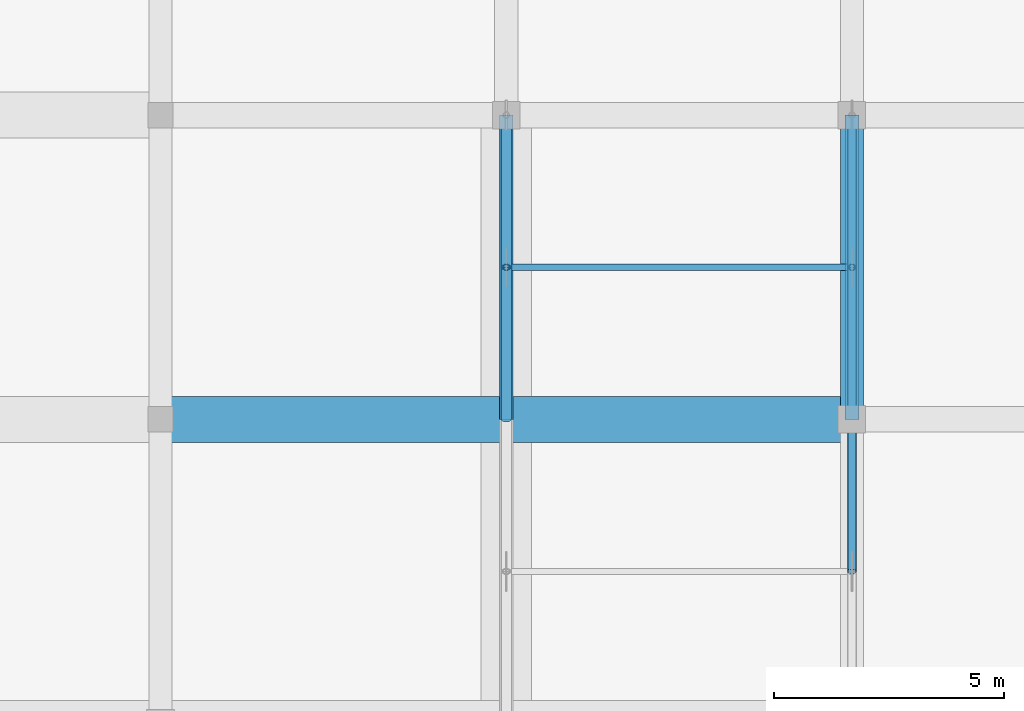
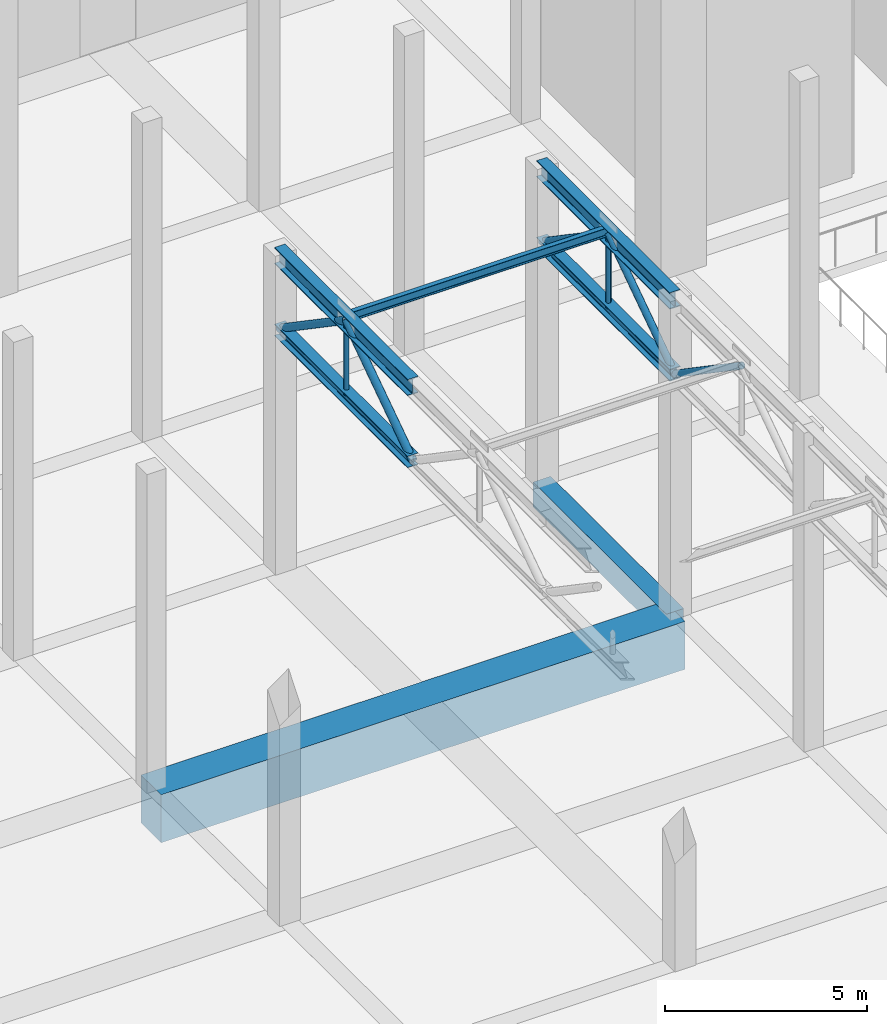
# One storey, part 22 of 80: 12 members, 2 beams.
"""IFC4 building model written with IfcOpenShell, lengths in metres."""

from ifc_helpers import new_model, si_unit, direction, frame, origin, origin_2d, place, context, subcontext, project, spatial, rectangle, hollow_circle, i_section, extrude, material, material_profile, profile_set, type_object, element, save


model = new_model("IFC4")

# Units and contexts
model_context = context("Model", 3, precision=1e-05, world=origin(), true_north=direction((0.0, 1.0)))
body_context = subcontext(model_context, "Body", "Model", "MODEL_VIEW")
ifc_project = project(units=[si_unit("LENGTHUNIT", "METRE"), si_unit("AREAUNIT", "SQUARE_METRE"), si_unit("VOLUMEUNIT", "CUBIC_METRE"), si_unit("PLANEANGLEUNIT", "RADIAN"), si_unit("MASSUNIT", "GRAM", prefix="KILO")], contexts=[model_context])

# Site, building, storey
site_placement = place(None, origin())
site = spatial("IfcSite", under=ifc_project, at=site_placement, CompositionType="ELEMENT")
building_placement = place(site_placement, origin())
building = spatial("IfcBuilding", under=site, at=building_placement, Name="Akrevak Sports Hall", CompositionType="ELEMENT")
storey_placement = place(building_placement, frame((0.0, 0.0, 14.0)))
storey = spatial("IfcBuildingStorey", under=building, at=storey_placement, Name="L03", CompositionType="ELEMENT", Elevation=14.0)

# Beams
ifc_material_1 = material(Name="Concrete C50/60", Category="concrete")
ifc_material_profile_1 = material_profile(ifc_material_1, rectangle(XDim=1.0, YDim=1.449951171875, at=origin_2d()), Name="BM 1000x1450", Category="concrete")
ifc_profile_set_1 = profile_set([ifc_material_profile_1], Name="Concrete C50/60")
beam_type_1 = type_object("IfcBeamType", Name="STR-BM-LG1000x1450", PredefinedType="BEAM", material=ifc_profile_set_1)
beam_1_placement = place(storey_placement, frame((15.0, 42.0, -0.72509765625), z_axis=(1.0, 0.0, 0.0), x_axis=(0.0, 1.0, 0.0)))
element("IfcBeam", 1, at=beam_1_placement, inside=storey, type_object=beam_type_1, Name="Girder G/3-5 (L03)", PredefinedType="BEAM", context=body_context, shape_type="SweptSolid", body=[
    extrude(rectangle(XDim=1.0, YDim=1.449951171875, at=origin_2d()), origin(), (0.0, 0.0, 1.0), 15.0),
])
ifc_material_2 = material(Name="Concrete C40/50", Category="concrete")
ifc_material_profile_2 = material_profile(ifc_material_2, rectangle(XDim=0.5, YDim=0.75, at=origin_2d()), Name="BM 500x750", Category="concrete")
ifc_profile_set_2 = profile_set([ifc_material_profile_2], Name="Concrete C40/50")
beam_type_2 = type_object("IfcBeamType", Name="STR-BM-RC500x750", PredefinedType="BEAM", material=ifc_profile_set_2)
beam_2_placement = place(storey_placement, frame((30.0, 42.0, -0.375), z_axis=(0.0, 1.0, 0.0), x_axis=(-1.0, 0.0, 0.0)))
element("IfcBeam", 2, at=beam_2_placement, inside=storey, type_object=beam_type_2, Name="Girder 5/G-H (L03)", PredefinedType="BEAM", context=body_context, shape_type="SweptSolid", body=[
    extrude(rectangle(XDim=0.5, YDim=0.75, at=origin_2d()), origin(), (0.0, 0.0, 1.0), 6.60009765625),
])

# Members
ifc_material_3 = material(Name="Steel S355", Category="steel")
ifc_material_profile_3 = material_profile(ifc_material_3, hollow_circle(Radius=0.06982421875, WallThickness=0.008056640625, at=origin_2d()), Name="CHS 139.7x8", Category="steel")
ifc_profile_set_3 = profile_set([ifc_material_profile_3], Name="Steel S355")
member_type_1 = type_object("IfcMemberType", Name="STR-MEM-BRACE-CHS139", PredefinedType="BRACE", material=ifc_profile_set_3)
for number, where, z_axis, x_axis, name in (
    (3, (22.5, 45.300048828125, 7.18994140625), (0.0, 0.0, 1.0), (1.0, 0.0, 0.0), "Roof Truss 1 Web Post 3"),
    (4, (30.0, 45.300048828125, 7.18994140625), (0.0, 0.0, 1.0), (1.0, 0.0, 0.0), "Roof Truss 2 Web Post 3"),
):
    element("IfcMember", number, at=place(storey_placement, frame(where, z_axis=z_axis, x_axis=x_axis)), inside=storey, type_object=member_type_1, Name=name, PredefinedType="BRACE", context=body_context, shape_type="SweptSolid", body=[
        extrude(hollow_circle(Radius=0.06982421875, WallThickness=0.008056640625, at=origin_2d()), origin(), (0.0, 0.0, 1.0), 2.25),
    ])
ifc_material_profile_4 = material_profile(ifc_material_3, hollow_circle(Radius=0.096923828125, WallThickness=0.010009765625, at=origin_2d()), Name="CHS 193.7x10", Category="steel")
ifc_profile_set_4 = profile_set([ifc_material_profile_4], Name="Steel S355")
member_type_2 = type_object("IfcMemberType", Name="STR-MEM-BRACE-CHS193", PredefinedType="BRACE", material=ifc_profile_set_4)
for number, where, z_axis, x_axis, name in (
    (5, (30.0, 38.699951171875, 9.43994140625), (0.0, 0.826231222393, -0.56333113454), (-1.0, 0.0, 0.0), "Roof Truss 2 Web Diagonal 2B"),
    (6, (30.0, 42.0, 7.18994140625), (0.0, 0.826231222393, 0.56333113454), (-1.0, 0.0, 0.0), "Roof Truss 2 Web Diagonal 3A"),
    (7, (30.0, 45.300048828125, 9.43994140625), (0.0, 0.826231222393, -0.56333113454), (-1.0, 0.0, 0.0), "Roof Truss 2 Web Diagonal 3B"),
):
    element("IfcMember", number, at=place(storey_placement, frame(where, z_axis=z_axis, x_axis=x_axis)), inside=storey, type_object=member_type_2, Name=name, PredefinedType="BRACE", context=body_context, shape_type="SweptSolid", body=[
        extrude(hollow_circle(Radius=0.096923828125, WallThickness=0.010009765625, at=origin_2d()), origin(), (0.0, 0.0, 1.0), 3.994140625),
    ])
ifc_material_profile_5 = material_profile(ifc_material_3, hollow_circle(Radius=0.109619140625, WallThickness=0.010009765625, at=origin_2d()), Name="CHS 219.1x10", Category="steel")
ifc_profile_set_5 = profile_set([ifc_material_profile_5], Name="Steel S355")
member_type_3 = type_object("IfcMemberType", Name="STR-MEM-BRACE-CHS219", PredefinedType="BRACE", material=ifc_profile_set_5)
for number, where, z_axis, x_axis, name in (
    (8, (22.5, 42.0, 7.18994140625), (0.0, 0.826231222393, 0.56333113454), (-1.0, 0.0, 0.0), "Roof Truss 1 Web Diagonal 3A"),
    (9, (22.5, 45.300048828125, 9.43994140625), (0.0, 0.826231222393, -0.56333113454), (-1.0, 0.0, 0.0), "Roof Truss 1 Web Diagonal 3B"),
):
    element("IfcMember", number, at=place(storey_placement, frame(where, z_axis=z_axis, x_axis=x_axis)), inside=storey, type_object=member_type_3, Name=name, PredefinedType="BRACE", context=body_context, shape_type="SweptSolid", body=[
        extrude(hollow_circle(Radius=0.109619140625, WallThickness=0.010009765625, at=origin_2d()), origin(), (0.0, 0.0, 1.0), 3.994140625),
    ])
ifc_material_profile_6 = material_profile(ifc_material_3, i_section(OverallWidth=0.300048828125, OverallDepth=0.360107421875, WebThickness=0.012451171875, FlangeThickness=0.0224609375, FilletRadius=0.027099609375, at=origin_2d()), Name="HEB 360", Category="steel")
ifc_profile_set_6 = profile_set([ifc_material_profile_6], Name="Steel S355")
member_type_4 = type_object("IfcMemberType", Name="STR-MEM-CHORD-HEB360", PredefinedType="CHORD", material=ifc_profile_set_6)
for number, where, z_axis, x_axis, name in (
    (10, (22.5, 42.0, 7.18994140625), (0.0, 1.0, 0.0), (-1.0, 0.0, 0.0), "Roof Truss 1 Bottom Chord 3"),
    (11, (30.0, 42.0, 7.18994140625), (0.0, 1.0, 0.0), (-1.0, 0.0, 0.0), "Roof Truss 2 Bottom Chord 3"),
):
    element("IfcMember", number, at=place(storey_placement, frame(where, z_axis=z_axis, x_axis=x_axis)), inside=storey, type_object=member_type_4, Name=name, PredefinedType="CHORD", context=body_context, shape_type="SweptSolid", body=[
        extrude(i_section(OverallWidth=0.300048828125, OverallDepth=0.360107421875, WebThickness=0.012451171875, FlangeThickness=0.0224609375, FilletRadius=0.027099609375, at=origin_2d()), origin(), (0.0, 0.0, 1.0), 6.60009765625),
    ])
ifc_material_profile_7 = material_profile(ifc_material_3, i_section(OverallWidth=0.300048828125, OverallDepth=0.5, WebThickness=0.014404296875, FlangeThickness=0.028076171875, FilletRadius=0.027099609375, at=origin_2d()), Name="HEB 500", Category="steel")
ifc_profile_set_7 = profile_set([ifc_material_profile_7], Name="Steel S355")
member_type_5 = type_object("IfcMemberType", Name="STR-MEM-CHORD-HEB500", PredefinedType="CHORD", material=ifc_profile_set_7)
for number, where, z_axis, x_axis, name in (
    (12, (22.5, 42.0, 9.43994140625), (0.0, 1.0, 0.0), (-1.0, 0.0, 0.0), "Roof Truss 1 Top Chord 3"),
    (13, (30.0, 42.0, 9.43994140625), (0.0, 1.0, 0.0), (-1.0, 0.0, 0.0), "Roof Truss 2 Top Chord 3"),
):
    element("IfcMember", number, at=place(storey_placement, frame(where, z_axis=z_axis, x_axis=x_axis)), inside=storey, type_object=member_type_5, Name=name, PredefinedType="CHORD", context=body_context, shape_type="SweptSolid", body=[
        extrude(i_section(OverallWidth=0.300048828125, OverallDepth=0.5, WebThickness=0.014404296875, FlangeThickness=0.028076171875, FilletRadius=0.027099609375, at=origin_2d()), origin(), (0.0, 0.0, 1.0), 6.60009765625),
    ])
ifc_material_profile_8 = material_profile(ifc_material_3, i_section(OverallWidth=0.135009765625, OverallDepth=0.27001953125, WebThickness=0.006591796875, FlangeThickness=0.01025390625, FilletRadius=0.014892578125, at=origin_2d()), Name="IPE 270", Category="steel")
ifc_profile_set_8 = profile_set([ifc_material_profile_8], Name="Steel S355")
member_type_6 = type_object("IfcMemberType", Name="STR-MEM-PUR-IPE270", PredefinedType="PURLIN", material=ifc_profile_set_8)
member_placement = place(storey_placement, frame((22.5, 45.300048828125, 9.534912109375), z_axis=(1.0, 0.0, 0.0), x_axis=(0.0, 1.0, 0.0)))
element("IfcMember", 14, at=member_placement, inside=storey, type_object=member_type_6, Name="Roof Steel Purlin PR-1.3", PredefinedType="PURLIN", context=body_context, shape_type="SweptSolid", body=[
    extrude(i_section(OverallWidth=0.135009765625, OverallDepth=0.27001953125, WebThickness=0.006591796875, FlangeThickness=0.01025390625, FilletRadius=0.014892578125, at=origin_2d()), origin(), (0.0, 0.0, 1.0), 7.5),
])

save(model, "model.ifc")
